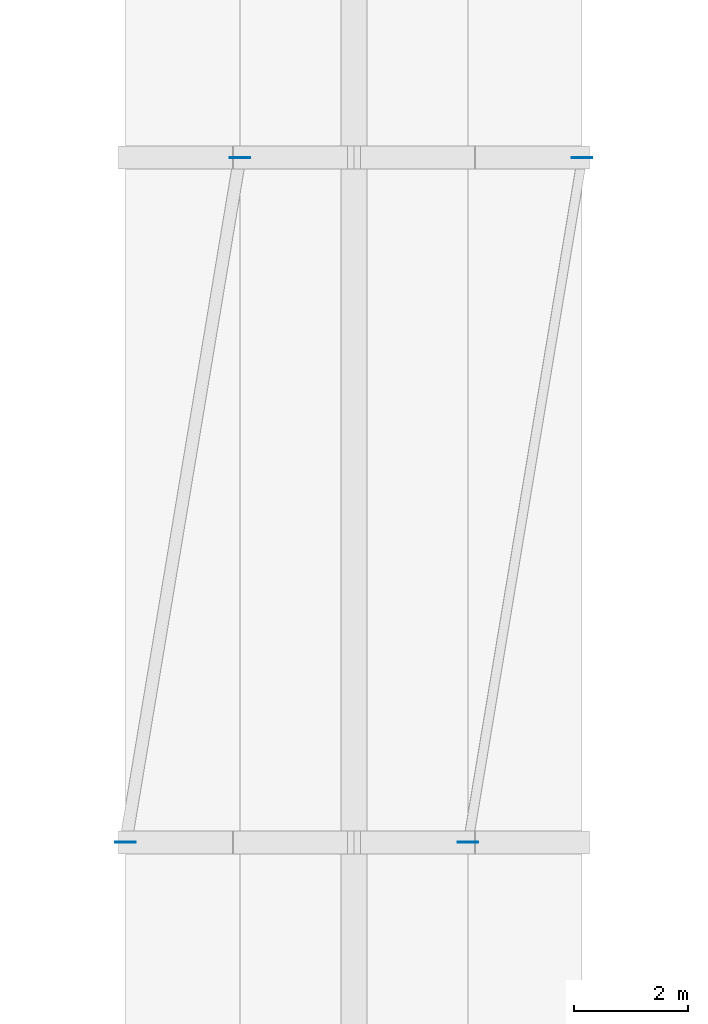
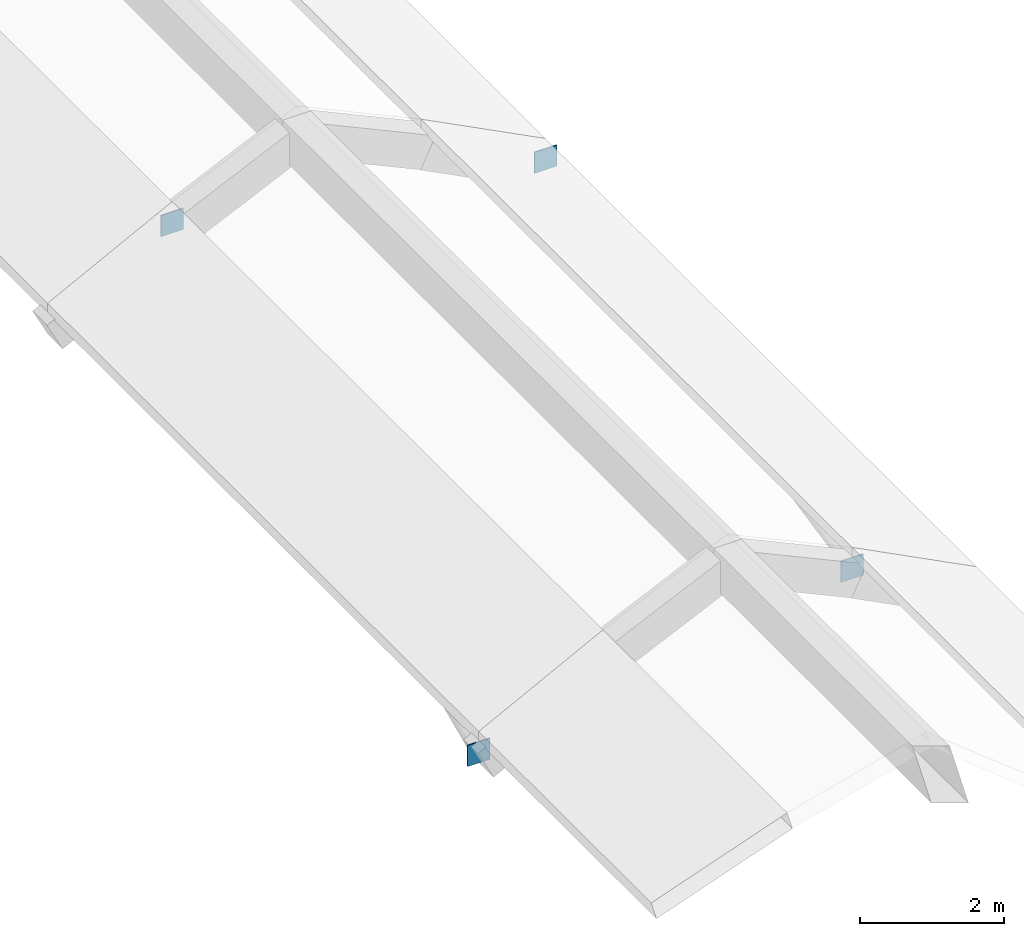
# One storey, part 36 of 49: 4 plates.
"""IFC4 building model written with IfcOpenShell, lengths in metres."""

from ifc_helpers import new_model, si_unit, direction, frame, origin, origin_2d, place, context, subcontext, project, spatial, rectangle, extrude, material, layer, layer_set, type_object, element, save


model = new_model("IFC4")

# Units and contexts
model_context = context("Model", 3, precision=1e-05, world=origin(), true_north=direction((0.0, 1.0)))
body_context = subcontext(model_context, "Body", "Model", "MODEL_VIEW")
ifc_project = project(units=[si_unit("LENGTHUNIT", "METRE"), si_unit("AREAUNIT", "SQUARE_METRE"), si_unit("VOLUMEUNIT", "CUBIC_METRE"), si_unit("PLANEANGLEUNIT", "RADIAN"), si_unit("MASSUNIT", "GRAM", prefix="KILO")], contexts=[model_context])

# Site, building, storey
site_placement = place(None, origin())
site = spatial("IfcSite", under=ifc_project, at=site_placement, CompositionType="ELEMENT")
building_placement = place(site_placement, origin())
building = spatial("IfcBuilding", under=site, at=building_placement, Name="Sitalva Quay Ferry Terminal", CompositionType="ELEMENT")
storey_placement = place(building_placement, frame((0.0, 0.0, 10.199951171875)))
storey = spatial("IfcBuildingStorey", under=building, at=storey_placement, Name="L03", CompositionType="ELEMENT", Elevation=10.199951171875)

# Plates
ifc_material = material(Name="Structural Steel S355JR", Category="steel")
ifc_layer = layer(ifc_material, 0.01611328125)
ifc_layer_set = layer_set([ifc_layer], Name="Structural Steel S355JR")
plate_type = type_object("IfcPlateType", Name="Gusset_360x360x16", PredefinedType="USERDEFINED", material=ifc_layer_set)
for number, where, z_axis, x_axis, name in (
    (1, (54.0, 18.0, 0.3203125), (0.0, 0.0, 1.0), (1.0, 0.0, 0.0), "Vault V1 wind brace B2.6 S end plate"),
    (2, (56.0, 30.0, 1.34814453125), (0.0, 0.0, 1.0), (1.0, 0.0, 0.0), "Vault V1 wind brace B2.6 N end plate"),
    (3, (60.0, 18.0, 1.34814453125), (0.0, 0.0, 1.0), (1.0, 0.0, 0.0), "Vault V1 wind brace B2.9 S end plate"),
    (4, (62.0, 30.0, 0.3203125), (0.0, 0.0, 1.0), (1.0, 0.0, 0.0), "Vault V1 wind brace B2.9 N end plate"),
):
    element("IfcPlate", number, at=place(storey_placement, frame(where, z_axis=z_axis, x_axis=x_axis)), inside=storey, type_object=plate_type, Name=name, ObjectType="FLANGE_PLATE", PredefinedType="USERDEFINED", context=body_context, shape_type="SweptSolid", body=[
        extrude(rectangle(XDim=0.360107421875, YDim=0.01611328125, at=origin_2d()), origin(), (0.0, 0.0, 1.0), 0.360107421875),
    ])

save(model, "model.ifc")
